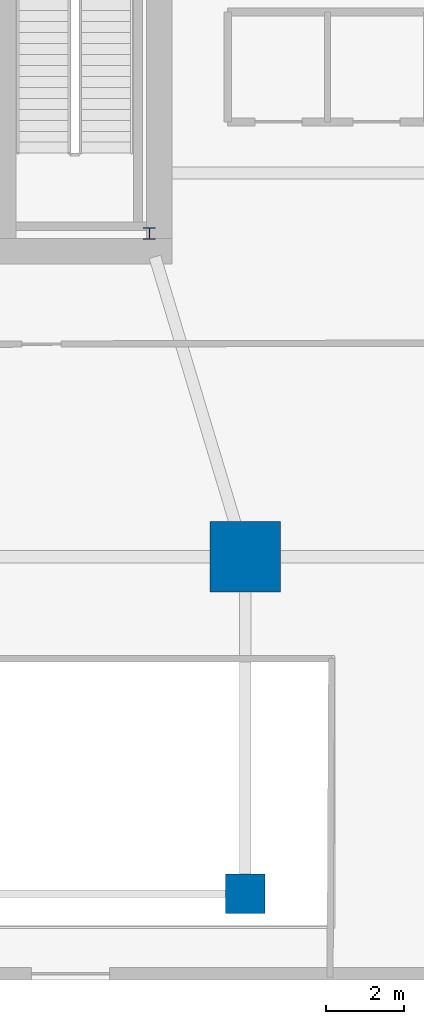
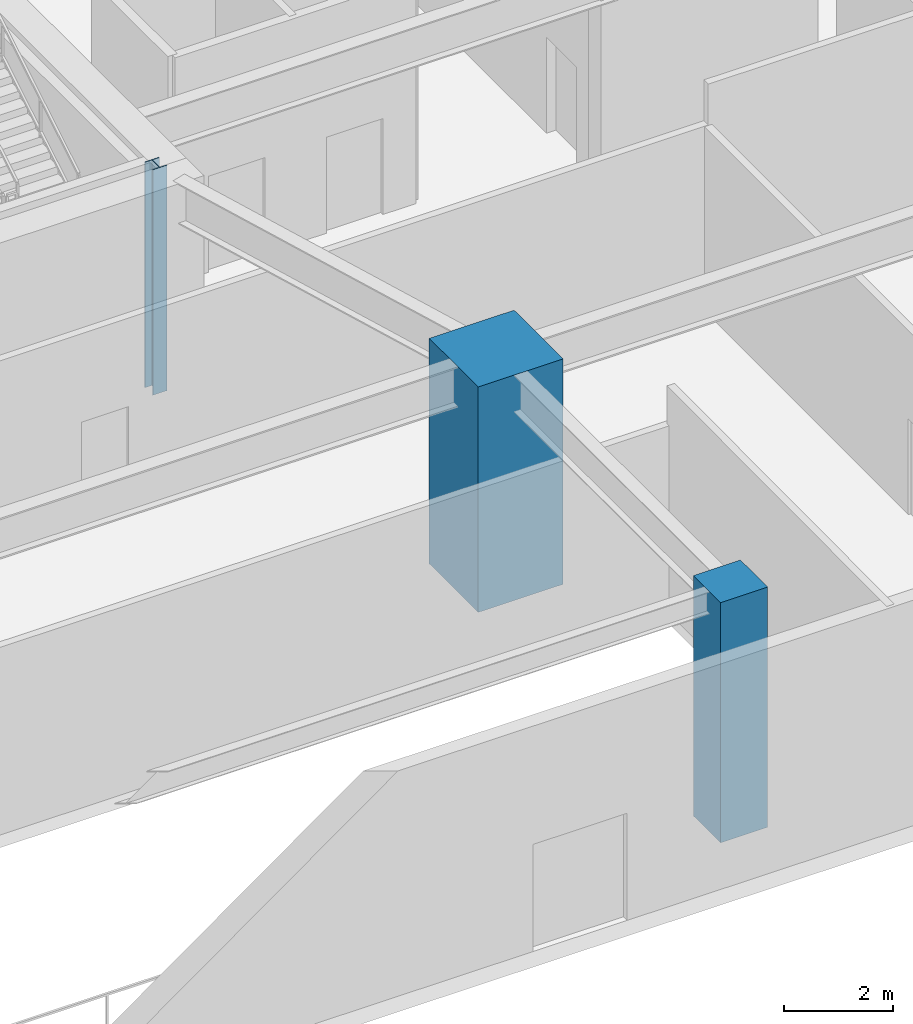
# One storey, part 2 of 13: 3 columns.
"""IFC4 building model written with IfcOpenShell, lengths in metres."""

from ifc_helpers import new_model, si_unit, direction, frame, origin, origin_2d, place, context, subcontext, project, spatial, rectangle, i_section, extrude, material, material_profile, profile_set, type_object, element, save


model = new_model("IFC4")

# Units and contexts
model_context = context("Model", 3, precision=1e-05, world=origin(), true_north=direction((0.0, 1.0)))
body_context = subcontext(model_context, "Body", "Model", "MODEL_VIEW")
ifc_project = project(units=[si_unit("LENGTHUNIT", "METRE"), si_unit("AREAUNIT", "SQUARE_METRE"), si_unit("VOLUMEUNIT", "CUBIC_METRE"), si_unit("PLANEANGLEUNIT", "RADIAN"), si_unit("MASSUNIT", "GRAM", prefix="KILO")], contexts=[model_context])

# Site, building, storey
site_placement = place(None, origin())
site = spatial("IfcSite", under=ifc_project, at=site_placement, CompositionType="ELEMENT")
building_placement = place(site_placement, origin())
building = spatial("IfcBuilding", under=site, at=building_placement, Name="Qarnah Convention Tower", CompositionType="ELEMENT")
storey_placement = place(building_placement, origin())
storey = spatial("IfcBuildingStorey", under=building, at=storey_placement, Name="L00", CompositionType="ELEMENT", Elevation=0.0)

# Columns
ifc_material_1 = material(Name="Concrete C60/75", Category="concrete")
ifc_material_profile_1 = material_profile(ifc_material_1, rectangle(XDim=1.800048828125, YDim=1.800048828125, at=origin_2d()), Name="RC-COL-1800X1800")
ifc_profile_set_1 = profile_set([ifc_material_profile_1], Name="Concrete C60/75")
column_type_1 = type_object("IfcColumnType", Name="COL-MC1800", PredefinedType="COLUMN", material=ifc_profile_set_1)
column_1_placement = place(storey_placement, frame((49.800048828125, 10.800048828125, 0.0), z_axis=(0.0, 0.0, 1.0), x_axis=(1.0, 0.0, 0.0)))
element("IfcColumn", 1, at=column_1_placement, inside=storey, type_object=column_type_1, Name="L00 plumb column MC-03", PredefinedType="COLUMN", context=body_context, shape_type="SweptSolid", body=[
    extrude(rectangle(XDim=1.800048828125, YDim=1.800048828125, at=origin_2d()), origin(), (0.0, 0.0, 1.0), 5.050048828125),
])
ifc_material_profile_2 = material_profile(ifc_material_1, rectangle(XDim=1.0, YDim=1.0, at=origin_2d()), Name="RC-COL-1000X1000")
ifc_profile_set_2 = profile_set([ifc_material_profile_2], Name="Concrete C60/75")
column_type_2 = type_object("IfcColumnType", Name="COL-Z3-1000", PredefinedType="COLUMN", material=ifc_profile_set_2)
column_2_placement = place(storey_placement, frame((49.800048828125, 2.199951171875, -0.330078125), z_axis=(0.0, 0.0, 1.0), x_axis=(1.0, 0.0, 0.0)))
element("IfcColumn", 2, at=column_2_placement, inside=storey, type_object=column_type_2, Name="L00 south terrace support column 02", PredefinedType="COLUMN", context=body_context, shape_type="SweptSolid", body=[
    extrude(rectangle(XDim=1.0, YDim=1.0, at=origin_2d()), origin(), (0.0, 0.0, 1.0), 5.380126953125),
])
ifc_material_2 = material(Name="Structural steel S355JR", Category="steel")
ifc_material_profile_3 = material_profile(ifc_material_2, i_section(OverallWidth=0.300048828125, OverallDepth=0.300048828125, WebThickness=0.010986328125, FlangeThickness=0.01904296875, at=origin_2d()), Name="HEB300")
ifc_profile_set_3 = profile_set([ifc_material_profile_3], Name="Structural steel S355JR")
column_type_3 = type_object("IfcColumnType", Name="PIL-SHF-300", PredefinedType="PILASTER", material=ifc_profile_set_3)
column_3_placement = place(storey_placement, frame((47.35009765625, 19.050048828125, 0.0), z_axis=(0.0, 0.0, 1.0), x_axis=(1.0, 0.0, 0.0)))
element("IfcColumn", 3, at=column_3_placement, inside=storey, type_object=column_type_3, Name="L00 core spine steel pilaster 2", PredefinedType="PILASTER", context=body_context, shape_type="SweptSolid", body=[
    extrude(i_section(OverallWidth=0.300048828125, OverallDepth=0.300048828125, WebThickness=0.010986328125, FlangeThickness=0.01904296875, at=origin_2d()), origin(), (0.0, 0.0, 1.0), 5.050048828125),
])

save(model, "model.ifc")
